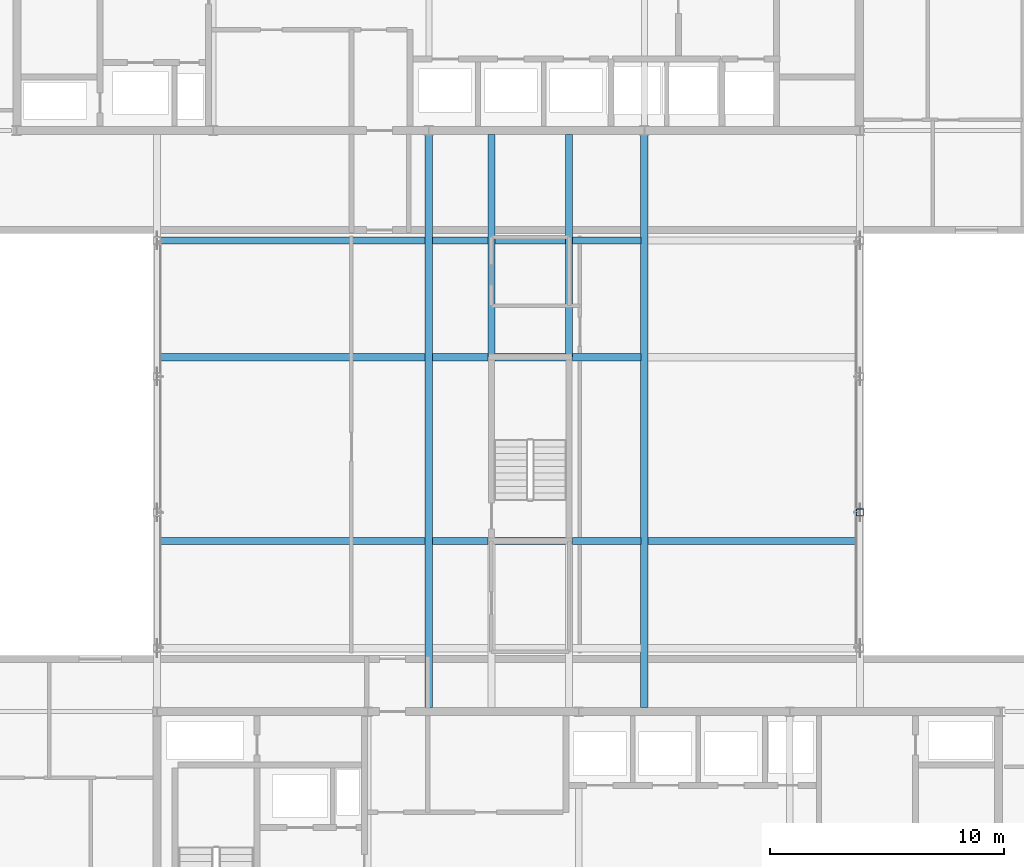
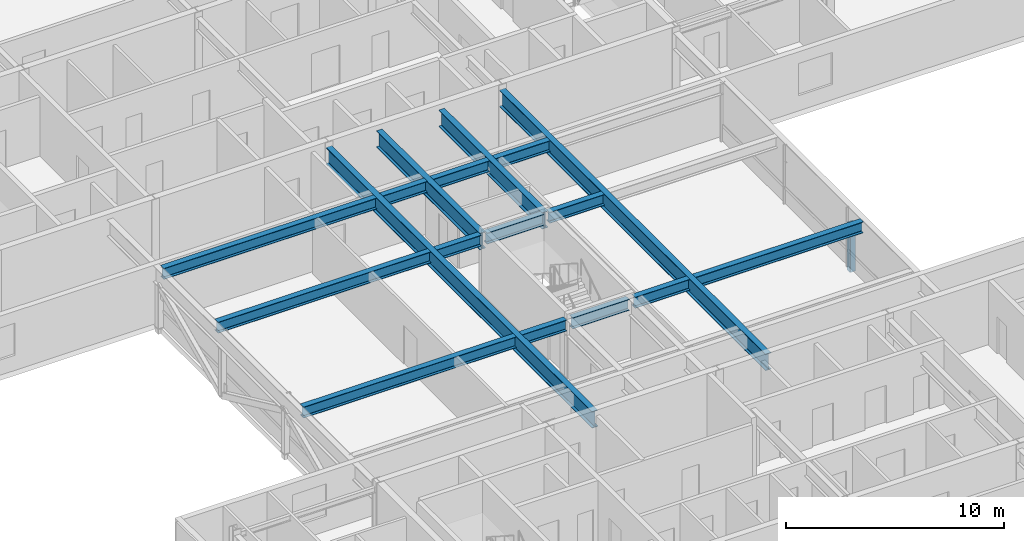
# One storey, part 9 of 36: 17 beams, 1 member.
"""IFC4 building model written with IfcOpenShell, lengths in metres."""

from ifc_helpers import new_model, si_unit, direction, frame, origin, origin_2d, place, context, subcontext, project, spatial, hollow_rectangle, i_section, extrude, material, material_profile, profile_set, type_object, element, save


model = new_model("IFC4")

# Units and contexts
model_context = context("Model", 3, precision=1e-05, world=origin(), true_north=direction((0.0, 1.0)))
body_context = subcontext(model_context, "Body", "Model", "MODEL_VIEW")
ifc_project = project(units=[si_unit("LENGTHUNIT", "METRE"), si_unit("AREAUNIT", "SQUARE_METRE"), si_unit("VOLUMEUNIT", "CUBIC_METRE"), si_unit("PLANEANGLEUNIT", "RADIAN"), si_unit("MASSUNIT", "GRAM", prefix="KILO")], contexts=[model_context])

# Site, building, storey
site_placement = place(None, origin())
site = spatial("IfcSite", under=ifc_project, at=site_placement, CompositionType="ELEMENT")
building_placement = place(site_placement, origin())
building = spatial("IfcBuilding", under=site, at=building_placement, Name="Korimba Cascade Residences", CompositionType="ELEMENT")
storey_placement = place(building_placement, frame((0.0, 0.0, 146.5)))
storey = spatial("IfcBuildingStorey", under=building, at=storey_placement, Name="L42", CompositionType="ELEMENT", Elevation=146.5)

# Beams
ifc_material_1 = material(Name="Steel S355", Category="steel")
ifc_material_profile_1 = material_profile(ifc_material_1, i_section(OverallWidth=0.30712890625, OverallDepth=0.6201171875, WebThickness=0.01416015625, FlangeThickness=0.023681640625, FilletRadius=0.0166015625, at=origin_2d()), Name="Steel S355")
ifc_profile_set_1 = profile_set([ifc_material_profile_1], Name="Steel S355")
beam_type_1 = type_object("IfcBeamType", Name="BM-STL-UB610A", PredefinedType="BEAM", material=ifc_profile_set_1)
beam_1_placement = place(storey_placement, frame((82.251953125, 37.675048828125, 3.0), z_axis=(1.0, 0.0, 0.0), x_axis=(0.0, 1.0, 0.0)))
element("IfcBeam", 1, at=beam_1_placement, inside=storey, type_object=beam_type_1, Name="L42 Mid-Bridge Cross Beam 37.1", PredefinedType="BEAM", context=body_context, shape_type="SweptSolid", body=[
    extrude(i_section(OverallWidth=0.30712890625, OverallDepth=0.6201171875, WebThickness=0.01416015625, FlangeThickness=0.023681640625, FilletRadius=0.0166015625, at=origin_2d()), origin(), (0.0, 0.0, 1.0), 11.296142578125),
])
beam_2_placement = place(storey_placement, frame((93.85205078125, 37.675048828125, 3.0), z_axis=(1.0, 0.0, 0.0), x_axis=(0.0, 1.0, 0.0)))
element("IfcBeam", 2, at=beam_2_placement, inside=storey, type_object=beam_type_1, Name="L42 Mid-Bridge Cross Beam 37.2", PredefinedType="BEAM", context=body_context, shape_type="SweptSolid", body=[
    extrude(i_section(OverallWidth=0.30712890625, OverallDepth=0.6201171875, WebThickness=0.01416015625, FlangeThickness=0.023681640625, FilletRadius=0.0166015625, at=origin_2d()), origin(), (0.0, 0.0, 1.0), 2.370849609375),
])
beam_3_placement = place(storey_placement, frame((96.527099609375, 37.675048828125, 3.0), z_axis=(1.0, 0.0, 0.0), x_axis=(0.0, 1.0, 0.0)))
element("IfcBeam", 3, at=beam_3_placement, inside=storey, type_object=beam_type_1, Name="L42 Mid-Bridge Cross Beam 37.3", PredefinedType="BEAM", context=body_context, shape_type="SweptSolid", body=[
    extrude(i_section(OverallWidth=0.30712890625, OverallDepth=0.6201171875, WebThickness=0.01416015625, FlangeThickness=0.023681640625, FilletRadius=0.0166015625, at=origin_2d()), origin(), (0.0, 0.0, 1.0), 3.005859375),
])
beam_4_placement = place(storey_placement, frame((99.8369140625, 37.675048828125, 3.0), z_axis=(1.0, 0.0, 0.0), x_axis=(0.0, 1.0, 0.0)))
element("IfcBeam", 4, at=beam_4_placement, inside=storey, type_object=beam_type_1, Name="L42 Mid-Bridge Cross Beam 37.4", PredefinedType="BEAM", context=body_context, shape_type="SweptSolid", body=[
    extrude(i_section(OverallWidth=0.30712890625, OverallDepth=0.6201171875, WebThickness=0.01416015625, FlangeThickness=0.023681640625, FilletRadius=0.0166015625, at=origin_2d()), origin(), (0.0, 0.0, 1.0), 2.9111328125),
])
beam_5_placement = place(storey_placement, frame((103.052001953125, 37.675048828125, 3.0), z_axis=(1.0, 0.0, 0.0), x_axis=(0.0, 1.0, 0.0)))
element("IfcBeam", 5, at=beam_5_placement, inside=storey, type_object=beam_type_1, Name="L42 Mid-Bridge Cross Beam 37.5", PredefinedType="BEAM", context=body_context, shape_type="SweptSolid", body=[
    extrude(i_section(OverallWidth=0.30712890625, OverallDepth=0.6201171875, WebThickness=0.01416015625, FlangeThickness=0.023681640625, FilletRadius=0.0166015625, at=origin_2d()), origin(), (0.0, 0.0, 1.0), 8.89599609375),
])
beam_6_placement = place(storey_placement, frame((82.251953125, 45.52490234375, 3.0), z_axis=(1.0, 0.0, 0.0), x_axis=(0.0, 1.0, 0.0)))
element("IfcBeam", 6, at=beam_6_placement, inside=storey, type_object=beam_type_1, Name="L42 Mid-Bridge Cross Beam 45.1", PredefinedType="BEAM", context=body_context, shape_type="SweptSolid", body=[
    extrude(i_section(OverallWidth=0.30712890625, OverallDepth=0.6201171875, WebThickness=0.01416015625, FlangeThickness=0.023681640625, FilletRadius=0.0166015625, at=origin_2d()), origin(), (0.0, 0.0, 1.0), 11.296142578125),
])
beam_7_placement = place(storey_placement, frame((93.85205078125, 45.52490234375, 3.0), z_axis=(1.0, 0.0, 0.0), x_axis=(0.0, 1.0, 0.0)))
element("IfcBeam", 7, at=beam_7_placement, inside=storey, type_object=beam_type_1, Name="L42 Mid-Bridge Cross Beam 45.2", PredefinedType="BEAM", context=body_context, shape_type="SweptSolid", body=[
    extrude(i_section(OverallWidth=0.30712890625, OverallDepth=0.6201171875, WebThickness=0.01416015625, FlangeThickness=0.023681640625, FilletRadius=0.0166015625, at=origin_2d()), origin(), (0.0, 0.0, 1.0), 2.370849609375),
])
beam_8_placement = place(storey_placement, frame((96.527099609375, 45.52490234375, 3.0), z_axis=(1.0, 0.0, 0.0), x_axis=(0.0, 1.0, 0.0)))
element("IfcBeam", 8, at=beam_8_placement, inside=storey, type_object=beam_type_1, Name="L42 Mid-Bridge Cross Beam 45.3", PredefinedType="BEAM", context=body_context, shape_type="SweptSolid", body=[
    extrude(i_section(OverallWidth=0.30712890625, OverallDepth=0.6201171875, WebThickness=0.01416015625, FlangeThickness=0.023681640625, FilletRadius=0.0166015625, at=origin_2d()), origin(), (0.0, 0.0, 1.0), 3.005859375),
])
beam_9_placement = place(storey_placement, frame((99.8369140625, 45.52490234375, 3.0), z_axis=(1.0, 0.0, 0.0), x_axis=(0.0, 1.0, 0.0)))
element("IfcBeam", 9, at=beam_9_placement, inside=storey, type_object=beam_type_1, Name="L42 Mid-Bridge Cross Beam 45.4", PredefinedType="BEAM", context=body_context, shape_type="SweptSolid", body=[
    extrude(i_section(OverallWidth=0.30712890625, OverallDepth=0.6201171875, WebThickness=0.01416015625, FlangeThickness=0.023681640625, FilletRadius=0.0166015625, at=origin_2d()), origin(), (0.0, 0.0, 1.0), 2.9111328125),
])
beam_10_placement = place(storey_placement, frame((82.251953125, 50.5, 3.0), z_axis=(1.0, 0.0, 0.0), x_axis=(0.0, 1.0, 0.0)))
element("IfcBeam", 10, at=beam_10_placement, inside=storey, type_object=beam_type_1, Name="L42 Mid-Bridge Cross Beam 50.1", PredefinedType="BEAM", context=body_context, shape_type="SweptSolid", body=[
    extrude(i_section(OverallWidth=0.30712890625, OverallDepth=0.6201171875, WebThickness=0.01416015625, FlangeThickness=0.023681640625, FilletRadius=0.0166015625, at=origin_2d()), origin(), (0.0, 0.0, 1.0), 11.296142578125),
])
beam_11_placement = place(storey_placement, frame((93.85205078125, 50.5, 3.0), z_axis=(1.0, 0.0, 0.0), x_axis=(0.0, 1.0, 0.0)))
element("IfcBeam", 11, at=beam_11_placement, inside=storey, type_object=beam_type_1, Name="L42 Mid-Bridge Cross Beam 50.2", PredefinedType="BEAM", context=body_context, shape_type="SweptSolid", body=[
    extrude(i_section(OverallWidth=0.30712890625, OverallDepth=0.6201171875, WebThickness=0.01416015625, FlangeThickness=0.023681640625, FilletRadius=0.0166015625, at=origin_2d()), origin(), (0.0, 0.0, 1.0), 2.370849609375),
])
beam_12_placement = place(storey_placement, frame((96.527099609375, 50.5, 3.0), z_axis=(1.0, 0.0, 0.0), x_axis=(0.0, 1.0, 0.0)))
element("IfcBeam", 12, at=beam_12_placement, inside=storey, type_object=beam_type_1, Name="L42 Mid-Bridge Cross Beam 50.3", PredefinedType="BEAM", context=body_context, shape_type="SweptSolid", body=[
    extrude(i_section(OverallWidth=0.30712890625, OverallDepth=0.6201171875, WebThickness=0.01416015625, FlangeThickness=0.023681640625, FilletRadius=0.0166015625, at=origin_2d()), origin(), (0.0, 0.0, 1.0), 3.005859375),
])
beam_13_placement = place(storey_placement, frame((99.8369140625, 50.5, 3.0), z_axis=(1.0, 0.0, 0.0), x_axis=(0.0, 1.0, 0.0)))
element("IfcBeam", 13, at=beam_13_placement, inside=storey, type_object=beam_type_1, Name="L42 Mid-Bridge Cross Beam 50.4", PredefinedType="BEAM", context=body_context, shape_type="SweptSolid", body=[
    extrude(i_section(OverallWidth=0.30712890625, OverallDepth=0.6201171875, WebThickness=0.01416015625, FlangeThickness=0.023681640625, FilletRadius=0.0166015625, at=origin_2d()), origin(), (0.0, 0.0, 1.0), 2.9111328125),
])
ifc_material_2 = material(Name="Steel S460", Category="steel")
ifc_material_profile_2 = material_profile(ifc_material_2, i_section(OverallWidth=0.3076171875, OverallDepth=0.926513671875, WebThickness=0.01953125, FlangeThickness=0.031982421875, FilletRadius=0.01904296875, at=origin_2d()), Name="Steel S460")
ifc_profile_set_2 = profile_set([ifc_material_profile_2], Name="Steel S460")
beam_type_2 = type_object("IfcBeamType", Name="BM-STL-UB914B", PredefinedType="BEAM", material=ifc_profile_set_2)
beam_14_placement = place(storey_placement, frame((93.699951171875, 30.574951171875, 2.8466796875), z_axis=(0.0, 1.0, 0.0), x_axis=(-1.0, 0.0, 0.0)))
element("IfcBeam", 14, at=beam_14_placement, inside=storey, type_object=beam_type_2, Name="L42 Rigid Mid-Bridge Truss Chord 2", PredefinedType="BEAM", context=body_context, shape_type="SweptSolid", body=[
    extrude(i_section(OverallWidth=0.3076171875, OverallDepth=0.926513671875, WebThickness=0.01953125, FlangeThickness=0.031982421875, FilletRadius=0.01904296875, at=origin_2d()), origin(), (0.0, 0.0, 1.0), 24.449951171875),
])
for number, where, z_axis, x_axis, name in (
    (15, (96.375, 45.52490234375, 2.8466796875), (0.0, 1.0, 0.0), (-1.0, 0.0, 0.0), "L42 Rigid Mid-Bridge Truss Chord 3"),
    (16, (99.68505859375, 45.52490234375, 2.8466796875), (0.0, 1.0, 0.0), (-1.0, 0.0, 0.0), "L42 Rigid Mid-Bridge Truss Chord 4"),
):
    element("IfcBeam", number, at=place(storey_placement, frame(where, z_axis=z_axis, x_axis=x_axis)), inside=storey, type_object=beam_type_2, Name=name, PredefinedType="BEAM", context=body_context, shape_type="SweptSolid", body=[
        extrude(i_section(OverallWidth=0.3076171875, OverallDepth=0.926513671875, WebThickness=0.01953125, FlangeThickness=0.031982421875, FilletRadius=0.01904296875, at=origin_2d()), origin(), (0.0, 0.0, 1.0), 9.5),
    ])
beam_15_placement = place(storey_placement, frame((102.89990234375, 30.574951171875, 2.8466796875), z_axis=(0.0, 1.0, 0.0), x_axis=(-1.0, 0.0, 0.0)))
element("IfcBeam", 17, at=beam_15_placement, inside=storey, type_object=beam_type_2, Name="L42 Rigid Mid-Bridge Truss Chord 5", PredefinedType="BEAM", context=body_context, shape_type="SweptSolid", body=[
    extrude(i_section(OverallWidth=0.3076171875, OverallDepth=0.926513671875, WebThickness=0.01953125, FlangeThickness=0.031982421875, FilletRadius=0.01904296875, at=origin_2d()), origin(), (0.0, 0.0, 1.0), 24.449951171875),
])

# Member
ifc_material_profile_3 = material_profile(ifc_material_2, hollow_rectangle(XDim=0.300048828125, YDim=0.300048828125, WallThickness=0.012451171875, InnerFilletRadius=0.012451171875, OuterFilletRadius=0.02490234375, at=origin_2d()), Name="Steel S460")
ifc_profile_set_3 = profile_set([ifc_material_profile_3], Name="Steel S460")
member_type = type_object("IfcMemberType", Name="MEM-BRG-STR300", PredefinedType="STRUT", material=ifc_profile_set_3)
member_placement = place(storey_placement, frame((112.10009765625, 38.89990234375, -0.2900390625), z_axis=(0.0, 0.0, 1.0), x_axis=(1.0, 0.0, 0.0)))
element("IfcMember", 18, at=member_placement, inside=storey, type_object=member_type, Name="L42 Mid-Bridge Warren Web Post E2", PredefinedType="STRUT", context=body_context, shape_type="SweptSolid", body=[
    extrude(hollow_rectangle(XDim=0.300048828125, YDim=0.300048828125, WallThickness=0.012451171875, InnerFilletRadius=0.012451171875, OuterFilletRadius=0.02490234375, at=origin_2d()), origin(), (0.0, 0.0, 1.0), 2.67333984375),
])

save(model, "model.ifc")
